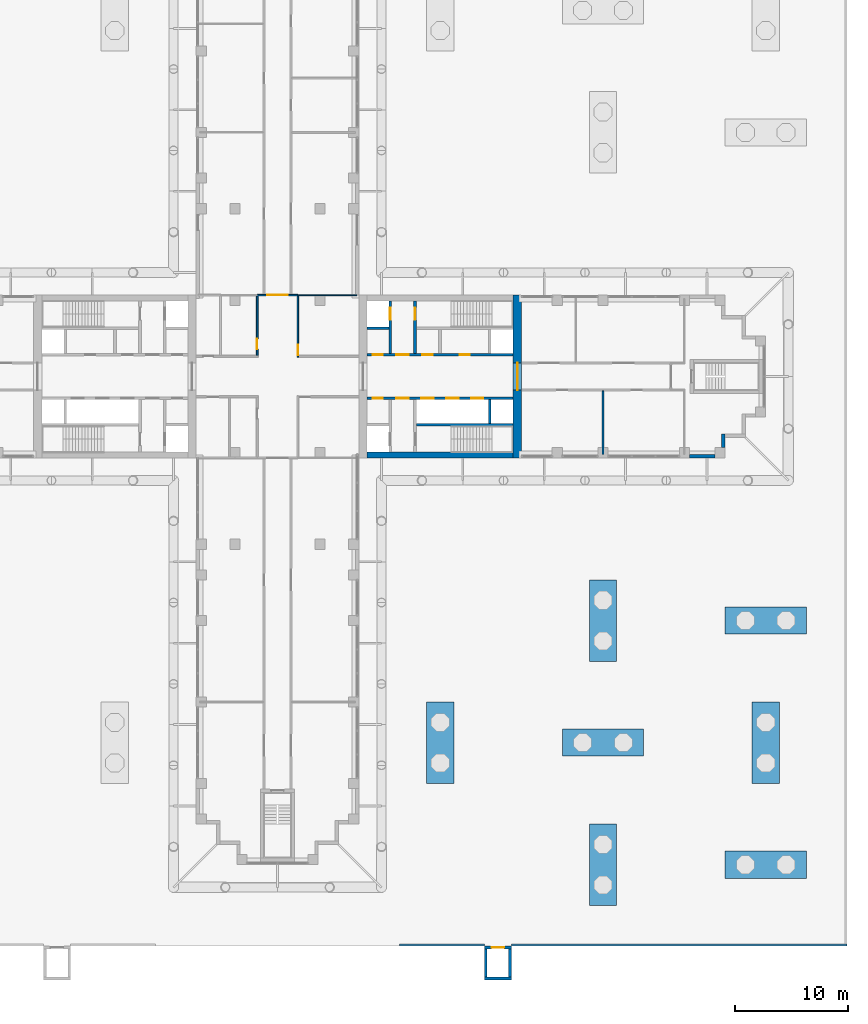
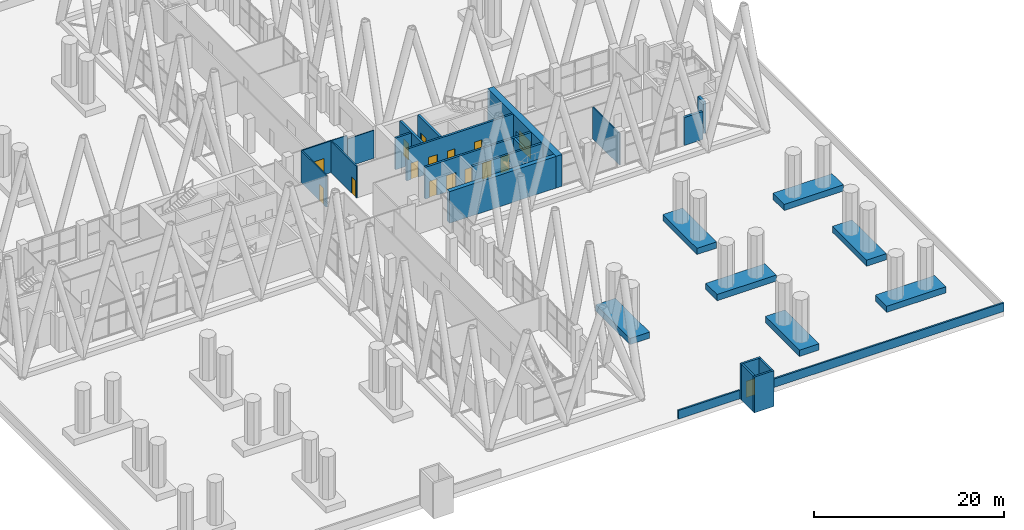
# One storey, part 22 of 31: 30 walls, 16 doors, 16 openings.
"""IFC4 building model written with IfcOpenShell, lengths in metres."""

from ifc_helpers import new_model, si_unit, direction, frame, frame_2d, origin, place, context, subcontext, project, spatial, rectangle, extrude, material, layer, layer_set, type_object, element, fill, save


model = new_model("IFC4")

# Units and contexts
model_context = context("Model", 3, precision=1e-05, world=origin(), true_north=direction((0.0, 1.0)))
body_context = subcontext(model_context, "Body", "Model", "MODEL_VIEW")
ifc_project = project(units=[si_unit("LENGTHUNIT", "METRE"), si_unit("AREAUNIT", "SQUARE_METRE"), si_unit("VOLUMEUNIT", "CUBIC_METRE"), si_unit("PLANEANGLEUNIT", "RADIAN"), si_unit("MASSUNIT", "GRAM", prefix="KILO")], contexts=[model_context])

# Site, building, storey
site_placement = place(None, origin())
site = spatial("IfcSite", under=ifc_project, at=site_placement, CompositionType="ELEMENT")
building_placement = place(site_placement, origin())
building = spatial("IfcBuilding", under=site, at=building_placement, Name="Fustian Cross Tower", CompositionType="ELEMENT")
storey_placement = place(building_placement, frame((0.0, 0.0, 7.199951171875)))
storey = spatial("IfcBuildingStorey", under=building, at=storey_placement, Name="L01", CompositionType="ELEMENT", Elevation=7.199951171875)

# Wall, opening, door
ifc_material_1 = material(Name="Plasterboard on steel stud", Category="steel")
ifc_layer_1 = layer(ifc_material_1, 0.14990234375)
ifc_layer_set_1 = layer_set([ifc_layer_1], Name="Plasterboard on steel stud")
wall_type_1 = type_object("IfcWallType", Name="COMPARTMENT WALL 150 EI 60", PredefinedType="PARTITIONING", material=ifc_layer_set_1)
wall_1_placement = place(storey_placement, frame((-1.800048828125, 1.875, 0.0), z_axis=(0.0, 0.0, 1.0), x_axis=(0.0, 1.0, 0.0)))
wall_1 = element("IfcWall", 1, at=wall_1_placement, inside=storey, type_object=wall_type_1, Name="Partition 22", PredefinedType="PARTITIONING", context=body_context, shape_type="SweptSolid", body=[
    extrude(rectangle(XDim=5.25, YDim=0.14990234375, at=frame_2d((2.625, 0.0))), origin(), (0.0, 0.0, 1.0), 4.074951171875),
])
opening_1_placement = place(wall_1_placement, frame((0.554931640625, 0.0, 0.0)))
opening_1 = element("IfcOpeningElement", 2, at=opening_1_placement, cuts=wall_1, Name="Opening D03002", PredefinedType="OPENING", context=body_context, shape_type="SweptSolid", body=[
    extrude(rectangle(XDim=0.89990234375, YDim=2.10009765625, at=frame_2d((0.449951171875, 1.050048828125))), frame((0.0, 0.0849609375, 0.0), z_axis=(0.0, -1.0, 0.0), x_axis=(1.0, 0.0, 0.0)), (0.0, 0.0, 1.0), 0.169921875),
])
ifc_material_2 = material(Name="Timber fire door set", Category="wood")
door_type_1 = type_object("IfcDoorType", Name="FIRE SWING DOOR 900 FD30S", OperationType="SINGLE_SWING_LEFT", PredefinedType="DOOR", material=ifc_material_2)
door_1_placement = place(opening_1_placement, frame((0.89990234375, 0.0, 0.0), z_axis=(0.0, 0.0, 1.0), x_axis=(-1.0, 0.0, 0.0)))
door_1 = element("IfcDoor", 3, at=door_1_placement, inside=storey, type_object=door_type_1, Name="Door D03002", OperationType="SINGLE_SWING_LEFT", OverallHeight=2.10009765625, OverallWidth=0.89990234375, PredefinedType="DOOR", context=body_context, shape_type="SweptSolid", body=[
    extrude(rectangle(XDim=0.89990234375, YDim=2.10009765625, at=frame_2d((0.449951171875, 1.050048828125))), frame((0.0, 0.02490234375, 0.0), z_axis=(0.0, -1.0, 0.0), x_axis=(1.0, 0.0, 0.0)), (0.0, 0.0, 1.0), 0.050048828125),
])
fill(opening_1, door_1)

wall_2_placement = place(storey_placement, frame((-1.800048828125, 7.199951171875, 0.0), z_axis=(0.0, 0.0, 1.0), x_axis=(1.0, 0.0, 0.0)))
wall_2 = element("IfcWall", 4, at=wall_2_placement, inside=storey, type_object=wall_type_1, Name="Partition 23", PredefinedType="PARTITIONING", context=body_context, shape_type="SweptSolid", body=[
    extrude(rectangle(XDim=3.60009765625, YDim=0.14990234375, at=frame_2d((1.800048828125, 0.0))), origin(), (0.0, 0.0, 1.0), 4.074951171875),
])
opening_2_placement = place(wall_2_placement, frame((0.89990234375, 0.0, 0.0)))
opening_2 = element("IfcOpeningElement", 5, at=opening_2_placement, cuts=wall_2, Name="Opening D03007", PredefinedType="OPENING", context=body_context, shape_type="SweptSolid", body=[
    extrude(rectangle(XDim=1.800048828125, YDim=2.10009765625, at=frame_2d((0.89990234375, 1.050048828125))), frame((0.0, 0.0849609375, 0.0), z_axis=(0.0, -1.0, 0.0), x_axis=(1.0, 0.0, 0.0)), (0.0, 0.0, 1.0), 0.169921875),
])
ifc_material_3 = material(Name="Timber fire door set", Category="wood")
door_type_2 = type_object("IfcDoorType", Name="FIRE DOUBLE DOOR 1800 FD30S", OperationType="DOUBLE_DOOR_DOUBLE_SWING", PredefinedType="DOOR", material=ifc_material_3)
door_2_placement = place(opening_2_placement, frame((1.800048828125, 0.0, 0.0), z_axis=(0.0, 0.0, 1.0), x_axis=(-1.0, 0.0, 0.0)))
door_2 = element("IfcDoor", 6, at=door_2_placement, inside=storey, type_object=door_type_2, Name="Door D03007", OperationType="DOUBLE_DOOR_DOUBLE_SWING", OverallHeight=2.10009765625, OverallWidth=1.800048828125, PredefinedType="DOOR", context=body_context, shape_type="SweptSolid", body=[
    extrude(rectangle(XDim=1.800048828125, YDim=2.10009765625, at=frame_2d((0.89990234375, 1.050048828125))), frame((0.0, 0.02490234375, 0.0), z_axis=(0.0, -1.0, 0.0), x_axis=(1.0, 0.0, 0.0)), (0.0, 0.0, 1.0), 0.050048828125),
])
fill(opening_2, door_2)

wall_3_placement = place(storey_placement, frame((1.800048828125, 1.72509765625, 0.0), z_axis=(0.0, 0.0, 1.0), x_axis=(0.0, 1.0, 0.0)))
wall_3 = element("IfcWall", 7, at=wall_3_placement, inside=storey, type_object=wall_type_1, Name="Partition 34", PredefinedType="PARTITIONING", context=body_context, shape_type="SweptSolid", body=[
    extrude(rectangle(XDim=5.39990234375, YDim=0.14990234375, at=frame_2d((2.699951171875, 0.0))), origin(), (0.0, 0.0, 1.0), 4.074951171875),
])
opening_3_placement = place(wall_3_placement, frame((0.175048828125, 0.0, 0.0)))
opening_3 = element("IfcOpeningElement", 8, at=opening_3_placement, cuts=wall_3, Name="Opening D03001", PredefinedType="OPENING", context=body_context, shape_type="SweptSolid", body=[
    extrude(rectangle(XDim=0.89990234375, YDim=2.10009765625, at=frame_2d((0.449951171875, 1.050048828125))), frame((0.0, 0.0849609375, 0.0), z_axis=(0.0, -1.0, 0.0), x_axis=(1.0, 0.0, 0.0)), (0.0, 0.0, 1.0), 0.169921875),
])
door_3_placement = place(opening_3_placement, origin())
door_3 = element("IfcDoor", 9, at=door_3_placement, inside=storey, type_object=door_type_1, Name="Door D03001", OperationType="SINGLE_SWING_RIGHT", OverallHeight=2.10009765625, OverallWidth=0.89990234375, PredefinedType="DOOR", context=body_context, shape_type="SweptSolid", body=[
    extrude(rectangle(XDim=0.89990234375, YDim=2.10009765625, at=frame_2d((0.449951171875, 1.050048828125))), frame((0.0, 0.02490234375, 0.0), z_axis=(0.0, -1.0, 0.0), x_axis=(1.0, 0.0, 0.0)), (0.0, 0.0, 1.0), 0.050048828125),
])
fill(opening_3, door_3)

# Wall
wall_4_placement = place(storey_placement, frame((28.800048828125, -6.89990234375, 0.0), z_axis=(0.0, 0.0, 1.0), x_axis=(0.0, 1.0, 0.0)))
element("IfcWall", 10, at=wall_4_placement, inside=storey, type_object=wall_type_1, Name="Partition 40", PredefinedType="PARTITIONING", context=body_context, shape_type="SweptSolid", body=[
    extrude(rectangle(XDim=5.625, YDim=0.14990234375, at=frame_2d((2.8125, 0.0))), origin(), (0.0, 0.0, 1.0), 4.074951171875),
])

# Wall, opening, door
ifc_material_4 = material(Name="Concrete C80/95", Category="concrete")
ifc_layer_2 = layer(ifc_material_4, 0.75)
ifc_layer_set_2 = layer_set([ifc_layer_2], Name="Concrete C80/95")
wall_type_2 = type_object("IfcWallType", Name="CORE END WALL 750 C80/95", PredefinedType="SHEAR", material=ifc_layer_set_2)
wall_5_placement = place(storey_placement, frame((21.22509765625, -7.199951171875, 0.0), z_axis=(0.0, 0.0, 1.0), x_axis=(0.0, 1.0, 0.0)))
wall_5 = element("IfcWall", 11, at=wall_5_placement, inside=storey, type_object=wall_type_2, Name="Core end wall", PredefinedType="SHEAR", context=body_context, shape_type="SweptSolid", body=[
    extrude(rectangle(XDim=14.39990234375, YDim=0.75, at=frame_2d((7.199951171875, 0.0))), origin(), (0.0, 0.0, 1.0), 4.074951171875),
])
opening_4_placement = place(wall_5_placement, frame((6.0, 0.0, 0.0)))
opening_4 = element("IfcOpeningElement", 12, at=opening_4_placement, cuts=wall_5, Name="Opening CD-03-13", PredefinedType="OPENING", context=body_context, shape_type="SweptSolid", body=[
    extrude(rectangle(XDim=2.39990234375, YDim=2.199951171875, at=frame_2d((1.199951171875, 1.10009765625))), frame((0.0, 0.385009765625, 0.0), z_axis=(0.0, -1.0, 0.0), x_axis=(1.0, 0.0, 0.0)), (0.0, 0.0, 1.0), 0.77001953125),
])
ifc_material_5 = material(Name="Steel", Category="steel")
door_type_3 = type_object("IfcDoorType", Name="FIRE DOOR FD30S DOUBLE 2400X2200", OperationType="DOUBLE_DOOR_DOUBLE_SWING", PredefinedType="DOOR", material=ifc_material_5)
door_4_placement = place(opening_4_placement, origin())
door_4 = element("IfcDoor", 13, at=door_4_placement, inside=storey, type_object=door_type_3, Name="Core door CD-03-13", OperationType="DOUBLE_DOOR_DOUBLE_SWING", OverallHeight=2.199951171875, OverallWidth=2.39990234375, PredefinedType="DOOR", context=body_context, shape_type="SweptSolid", body=[
    extrude(rectangle(XDim=2.39990234375, YDim=2.199951171875, at=frame_2d((1.199951171875, 1.10009765625))), frame((0.0, 0.02490234375, 0.0), z_axis=(0.0, -1.0, 0.0), x_axis=(1.0, 0.0, 0.0)), (0.0, 0.0, 1.0), 0.050048828125),
])
fill(opening_4, door_4)

# Wall
ifc_material_6 = material(Name="Concrete C80/95", Category="concrete")
ifc_layer_3 = layer(ifc_material_6, 0.5)
ifc_layer_set_3 = layer_set([ifc_layer_3], Name="Concrete C80/95")
wall_type_3 = type_object("IfcWallType", Name="CORE FACADE WALL 500 C80/95", PredefinedType="SHEAR", material=ifc_layer_set_3)
wall_6_placement = place(storey_placement, frame((7.89990234375, -6.949951171875, 0.0), z_axis=(0.0, 0.0, 1.0), x_axis=(1.0, 0.0, 0.0)))
element("IfcWall", 14, at=wall_6_placement, inside=storey, type_object=wall_type_3, Name="Core facade wall", PredefinedType="SHEAR", context=body_context, shape_type="SweptSolid", body=[
    extrude(rectangle(XDim=12.9501953125, YDim=0.5, at=frame_2d((6.47509765625, 0.0))), origin(), (0.0, 0.0, 1.0), 4.074951171875),
])

# Wall, openings, doors
ifc_material_7 = material(Name="Concrete C50/60", Category="concrete")
ifc_layer_4 = layer(ifc_material_7, 0.25)
ifc_layer_set_4 = layer_set([ifc_layer_4], Name="Concrete C50/60")
wall_type_4 = type_object("IfcWallType", Name="CORE LOBBY WALL 250 C50/60", PredefinedType="SHEAR", material=ifc_layer_set_4)
wall_7_placement = place(storey_placement, frame((7.89990234375, 1.925048828125, 0.0), z_axis=(0.0, 0.0, 1.0), x_axis=(1.0, 0.0, 0.0)))
wall_7 = element("IfcWall", 15, at=wall_7_placement, inside=storey, type_object=wall_type_4, Name="Core lobby wall", PredefinedType="SHEAR", context=body_context, shape_type="SweptSolid", body=[
    extrude(rectangle(XDim=12.9501953125, YDim=0.25, at=frame_2d((6.47509765625, 0.0))), origin(), (0.0, 0.0, 1.0), 4.074951171875),
])
opening_5_placement = place(wall_7_placement, frame((0.52490234375, 0.0, 0.0)))
opening_5 = element("IfcOpeningElement", 16, at=opening_5_placement, cuts=wall_7, Name="Opening CD-03-08", PredefinedType="OPENING", context=body_context, shape_type="SweptSolid", body=[
    extrude(rectangle(XDim=0.89990234375, YDim=2.10009765625, at=frame_2d((0.449951171875, 1.050048828125))), frame((0.0, 0.135009765625, 0.0), z_axis=(0.0, -1.0, 0.0), x_axis=(1.0, 0.0, 0.0)), (0.0, 0.0, 1.0), 0.27001953125),
])
opening_6_placement = place(wall_7_placement, frame((2.625, 0.0, 0.0)))
opening_6 = element("IfcOpeningElement", 17, at=opening_6_placement, cuts=wall_7, Name="Opening CD-03-10", PredefinedType="OPENING", context=body_context, shape_type="SweptSolid", body=[
    extrude(rectangle(XDim=1.10009765625, YDim=2.10009765625, at=frame_2d((0.550048828125, 1.050048828125))), frame((0.0, 0.135009765625, 0.0), z_axis=(0.0, -1.0, 0.0), x_axis=(1.0, 0.0, 0.0)), (0.0, 0.0, 1.0), 0.27001953125),
])
opening_7_placement = place(wall_7_placement, frame((4.925048828125, 0.0, 0.0)))
opening_7 = element("IfcOpeningElement", 18, at=opening_7_placement, cuts=wall_7, Name="Opening CD-03-14", PredefinedType="OPENING", context=body_context, shape_type="SweptSolid", body=[
    extrude(rectangle(XDim=0.89990234375, YDim=2.10009765625, at=frame_2d((0.449951171875, 1.050048828125))), frame((0.0, 0.135009765625, 0.0), z_axis=(0.0, -1.0, 0.0), x_axis=(1.0, 0.0, 0.0)), (0.0, 0.0, 1.0), 0.27001953125),
])
opening_8_placement = place(wall_7_placement, frame((8.22509765625, 0.0, 0.0)))
opening_8 = element("IfcOpeningElement", 19, at=opening_8_placement, cuts=wall_7, Name="Opening CD-03-15", PredefinedType="OPENING", context=body_context, shape_type="SweptSolid", body=[
    extrude(rectangle(XDim=0.89990234375, YDim=2.10009765625, at=frame_2d((0.449951171875, 1.050048828125))), frame((0.0, 0.135009765625, 0.0), z_axis=(0.0, -1.0, 0.0), x_axis=(1.0, 0.0, 0.0)), (0.0, 0.0, 1.0), 0.27001953125),
])
ifc_material_8 = material(Name="Steel", Category="steel")
door_type_4 = type_object("IfcDoorType", Name="FIRE DOOR FD30S 900X2100", OperationType="SINGLE_SWING_LEFT", PredefinedType="DOOR", material=ifc_material_8)
door_5_placement = place(opening_7_placement, origin())
door_5 = element("IfcDoor", 20, at=door_5_placement, inside=storey, type_object=door_type_4, Name="Core door CD-03-14", OperationType="SINGLE_SWING_LEFT", OverallHeight=2.10009765625, OverallWidth=0.89990234375, PredefinedType="DOOR", context=body_context, shape_type="SweptSolid", body=[
    extrude(rectangle(XDim=0.89990234375, YDim=2.10009765625, at=frame_2d((0.449951171875, 1.050048828125))), frame((0.0, 0.02490234375, 0.0), z_axis=(0.0, -1.0, 0.0), x_axis=(1.0, 0.0, 0.0)), (0.0, 0.0, 1.0), 0.050048828125),
])
fill(opening_7, door_5)
door_6_placement = place(opening_8_placement, origin())
door_6 = element("IfcDoor", 21, at=door_6_placement, inside=storey, type_object=door_type_4, Name="Core door CD-03-15", OperationType="SINGLE_SWING_RIGHT", OverallHeight=2.10009765625, OverallWidth=0.89990234375, PredefinedType="DOOR", context=body_context, shape_type="SweptSolid", body=[
    extrude(rectangle(XDim=0.89990234375, YDim=2.10009765625, at=frame_2d((0.449951171875, 1.050048828125))), frame((0.0, 0.02490234375, 0.0), z_axis=(0.0, -1.0, 0.0), x_axis=(1.0, 0.0, 0.0)), (0.0, 0.0, 1.0), 0.050048828125),
])
fill(opening_8, door_6)
ifc_material_9 = material(Name="Steel", Category="steel")
door_type_5 = type_object("IfcDoorType", Name="FIRE DOOR FD60S 1100X2100", OperationType="SINGLE_SWING_LEFT", PredefinedType="DOOR", material=ifc_material_9)
door_7_placement = place(opening_6_placement, frame((1.10009765625, 0.0, 0.0), z_axis=(0.0, 0.0, 1.0), x_axis=(-1.0, 0.0, 0.0)))
door_7 = element("IfcDoor", 22, at=door_7_placement, inside=storey, type_object=door_type_5, Name="Core door CD-03-10", OperationType="SINGLE_SWING_RIGHT", OverallHeight=2.10009765625, OverallWidth=1.10009765625, PredefinedType="DOOR", context=body_context, shape_type="SweptSolid", body=[
    extrude(rectangle(XDim=1.10009765625, YDim=2.10009765625, at=frame_2d((0.550048828125, 1.050048828125))), frame((0.0, 0.02490234375, 0.0), z_axis=(0.0, -1.0, 0.0), x_axis=(1.0, 0.0, 0.0)), (0.0, 0.0, 1.0), 0.050048828125),
])
fill(opening_6, door_7)
ifc_material_10 = material(Name="Steel", Category="steel")
door_type_6 = type_object("IfcDoorType", Name="FIRE DOOR FD60S 900X2100", OperationType="SINGLE_SWING_LEFT", PredefinedType="DOOR", material=ifc_material_10)
door_8_placement = place(opening_5_placement, origin())
door_8 = element("IfcDoor", 23, at=door_8_placement, inside=storey, type_object=door_type_6, Name="Core door CD-03-08", OperationType="SINGLE_SWING_LEFT", OverallHeight=2.10009765625, OverallWidth=0.89990234375, PredefinedType="DOOR", context=body_context, shape_type="SweptSolid", body=[
    extrude(rectangle(XDim=0.89990234375, YDim=2.10009765625, at=frame_2d((0.449951171875, 1.050048828125))), frame((0.0, 0.02490234375, 0.0), z_axis=(0.0, -1.0, 0.0), x_axis=(1.0, 0.0, 0.0)), (0.0, 0.0, 1.0), 0.050048828125),
])
fill(opening_5, door_8)

wall_8_placement = place(storey_placement, frame((7.89990234375, -1.925048828125, 0.0), z_axis=(0.0, 0.0, 1.0), x_axis=(1.0, 0.0, 0.0)))
wall_8 = element("IfcWall", 24, at=wall_8_placement, inside=storey, type_object=wall_type_4, Name="Core lobby wall", PredefinedType="SHEAR", context=body_context, shape_type="SweptSolid", body=[
    extrude(rectangle(XDim=12.9501953125, YDim=0.25, at=frame_2d((6.47509765625, 0.0))), origin(), (0.0, 0.0, 1.0), 4.074951171875),
])
opening_9_placement = place(wall_8_placement, frame((4.824951171875, 0.0, 0.0)))
opening_9 = element("IfcOpeningElement", 25, at=opening_9_placement, cuts=wall_8, Name="Opening LD", PredefinedType="OPENING", context=body_context, shape_type="SweptSolid", body=[
    extrude(rectangle(XDim=1.10009765625, YDim=2.10009765625, at=frame_2d((0.550048828125, 1.050048828125))), frame((0.0, 0.135009765625, 0.0), z_axis=(0.0, -1.0, 0.0), x_axis=(1.0, 0.0, 0.0)), (0.0, 0.0, 1.0), 0.27001953125),
])
opening_10_placement = place(wall_8_placement, frame((7.02490234375, 0.0, 0.0)))
opening_10 = element("IfcOpeningElement", 26, at=opening_10_placement, cuts=wall_8, Name="Opening LD", PredefinedType="OPENING", context=body_context, shape_type="SweptSolid", body=[
    extrude(rectangle(XDim=1.10009765625, YDim=2.10009765625, at=frame_2d((0.550048828125, 1.050048828125))), frame((0.0, 0.135009765625, 0.0), z_axis=(0.0, -1.0, 0.0), x_axis=(1.0, 0.0, 0.0)), (0.0, 0.0, 1.0), 0.27001953125),
])
opening_11_placement = place(wall_8_placement, frame((9.22509765625, 0.0, 0.0)))
opening_11 = element("IfcOpeningElement", 27, at=opening_11_placement, cuts=wall_8, Name="Opening LD", PredefinedType="OPENING", context=body_context, shape_type="SweptSolid", body=[
    extrude(rectangle(XDim=1.10009765625, YDim=2.10009765625, at=frame_2d((0.550048828125, 1.050048828125))), frame((0.0, 0.135009765625, 0.0), z_axis=(0.0, -1.0, 0.0), x_axis=(1.0, 0.0, 0.0)), (0.0, 0.0, 1.0), 0.27001953125),
])
opening_12_placement = place(wall_8_placement, frame((0.52490234375, 0.0, 0.0)))
opening_12 = element("IfcOpeningElement", 28, at=opening_12_placement, cuts=wall_8, Name="Opening CD-03-09", PredefinedType="OPENING", context=body_context, shape_type="SweptSolid", body=[
    extrude(rectangle(XDim=0.89990234375, YDim=2.10009765625, at=frame_2d((0.449951171875, 1.050048828125))), frame((0.0, 0.135009765625, 0.0), z_axis=(0.0, -1.0, 0.0), x_axis=(1.0, 0.0, 0.0)), (0.0, 0.0, 1.0), 0.27001953125),
])
opening_13_placement = place(wall_8_placement, frame((2.625, 0.0, 0.0)))
opening_13 = element("IfcOpeningElement", 29, at=opening_13_placement, cuts=wall_8, Name="Opening CD-03-11", PredefinedType="OPENING", context=body_context, shape_type="SweptSolid", body=[
    extrude(rectangle(XDim=1.10009765625, YDim=2.10009765625, at=frame_2d((0.550048828125, 1.050048828125))), frame((0.0, 0.135009765625, 0.0), z_axis=(0.0, -1.0, 0.0), x_axis=(1.0, 0.0, 0.0)), (0.0, 0.0, 1.0), 0.27001953125),
])
ifc_material_11 = material(Name="Steel", Category="steel")
door_type_7 = type_object("IfcDoorType", Name="FIRE DOOR FD30S 1100X2100", OperationType="SINGLE_SWING_LEFT", PredefinedType="DOOR", material=ifc_material_11)
door_9_placement = place(opening_13_placement, frame((1.10009765625, 0.0, 0.0), z_axis=(0.0, 0.0, 1.0), x_axis=(-1.0, 0.0, 0.0)))
door_9 = element("IfcDoor", 30, at=door_9_placement, inside=storey, type_object=door_type_7, Name="Core door CD-03-11", OperationType="SINGLE_SWING_RIGHT", OverallHeight=2.10009765625, OverallWidth=1.10009765625, PredefinedType="DOOR", context=body_context, shape_type="SweptSolid", body=[
    extrude(rectangle(XDim=1.10009765625, YDim=2.10009765625, at=frame_2d((0.550048828125, 1.050048828125))), frame((0.0, 0.02490234375, 0.0), z_axis=(0.0, -1.0, 0.0), x_axis=(1.0, 0.0, 0.0)), (0.0, 0.0, 1.0), 0.050048828125),
])
fill(opening_13, door_9)
door_10_placement = place(opening_12_placement, frame((0.89990234375, 0.0, 0.0), z_axis=(0.0, 0.0, 1.0), x_axis=(-1.0, 0.0, 0.0)))
door_10 = element("IfcDoor", 31, at=door_10_placement, inside=storey, type_object=door_type_4, Name="Core door CD-03-09", OperationType="SINGLE_SWING_RIGHT", OverallHeight=2.10009765625, OverallWidth=0.89990234375, PredefinedType="DOOR", context=body_context, shape_type="SweptSolid", body=[
    extrude(rectangle(XDim=0.89990234375, YDim=2.10009765625, at=frame_2d((0.449951171875, 1.050048828125))), frame((0.0, 0.02490234375, 0.0), z_axis=(0.0, -1.0, 0.0), x_axis=(1.0, 0.0, 0.0)), (0.0, 0.0, 1.0), 0.050048828125),
])
fill(opening_12, door_10)
ifc_material_12 = material(Name="Stainless steel", Category="steel")
door_type_8 = type_object("IfcDoorType", Name="LIFT LANDING DOOR 1100X2100", OperationType="SLIDING_TO_LEFT", PredefinedType="DOOR", material=ifc_material_12)
door_11_placement = place(opening_9_placement, origin())
door_11 = element("IfcDoor", 32, at=door_11_placement, inside=storey, type_object=door_type_8, Name="Landing door LR1", OperationType="SLIDING_TO_LEFT", OverallHeight=2.10009765625, OverallWidth=1.10009765625, PredefinedType="DOOR", context=body_context, shape_type="SweptSolid", body=[
    extrude(rectangle(XDim=1.10009765625, YDim=2.10009765625, at=frame_2d((0.550048828125, 1.050048828125))), frame((0.0, 0.02490234375, 0.0), z_axis=(0.0, -1.0, 0.0), x_axis=(1.0, 0.0, 0.0)), (0.0, 0.0, 1.0), 0.050048828125),
])
fill(opening_9, door_11)
door_12_placement = place(opening_10_placement, origin())
door_12 = element("IfcDoor", 33, at=door_12_placement, inside=storey, type_object=door_type_8, Name="Landing door LR2", OperationType="SLIDING_TO_LEFT", OverallHeight=2.10009765625, OverallWidth=1.10009765625, PredefinedType="DOOR", context=body_context, shape_type="SweptSolid", body=[
    extrude(rectangle(XDim=1.10009765625, YDim=2.10009765625, at=frame_2d((0.550048828125, 1.050048828125))), frame((0.0, 0.02490234375, 0.0), z_axis=(0.0, -1.0, 0.0), x_axis=(1.0, 0.0, 0.0)), (0.0, 0.0, 1.0), 0.050048828125),
])
fill(opening_10, door_12)
door_13_placement = place(opening_11_placement, origin())
door_13 = element("IfcDoor", 34, at=door_13_placement, inside=storey, type_object=door_type_8, Name="Landing door LR3", OperationType="SLIDING_TO_LEFT", OverallHeight=2.10009765625, OverallWidth=1.10009765625, PredefinedType="DOOR", context=body_context, shape_type="SweptSolid", body=[
    extrude(rectangle(XDim=1.10009765625, YDim=2.10009765625, at=frame_2d((0.550048828125, 1.050048828125))), frame((0.0, 0.02490234375, 0.0), z_axis=(0.0, -1.0, 0.0), x_axis=(1.0, 0.0, 0.0)), (0.0, 0.0, 1.0), 0.050048828125),
])
fill(opening_11, door_13)

# Wall
ifc_material_13 = material(Name="Concrete C50/60", Category="concrete")
ifc_layer_5 = layer(ifc_material_13, 0.25)
ifc_layer_set_5 = layer_set([ifc_layer_5], Name="Concrete C50/60")
wall_type_5 = type_object("IfcWallType", Name="CORE SHAFT WALL 250 C50/60", PredefinedType="SHEAR", material=ifc_layer_set_5)
wall_9_placement = place(storey_placement, frame((7.89990234375, 4.27490234375, 0.0), z_axis=(0.0, 0.0, 1.0), x_axis=(1.0, 0.0, 0.0)))
element("IfcWall", 35, at=wall_9_placement, inside=storey, type_object=wall_type_5, Name="Core shaft wall", PredefinedType="SHEAR", context=body_context, shape_type="SweptSolid", body=[
    extrude(rectangle(XDim=1.9501953125, YDim=0.25, at=frame_2d((0.97509765625, 0.0))), origin(), (0.0, 0.0, 1.0), 4.074951171875),
])

# Wall, opening, door
wall_10_placement = place(storey_placement, frame((9.97509765625, 2.050048828125, 0.0), z_axis=(0.0, 0.0, 1.0), x_axis=(0.0, 1.0, 0.0)))
wall_10 = element("IfcWall", 36, at=wall_10_placement, inside=storey, type_object=wall_type_5, Name="Core shaft wall", PredefinedType="SHEAR", context=body_context, shape_type="SweptSolid", body=[
    extrude(rectangle(XDim=4.64990234375, YDim=0.25, at=frame_2d((2.324951171875, 0.0))), origin(), (0.0, 0.0, 1.0), 4.074951171875),
])
opening_14_placement = place(wall_10_placement, frame((2.949951171875, 0.0, 0.0)))
opening_14 = element("IfcOpeningElement", 37, at=opening_14_placement, cuts=wall_10, Name="Opening LD", PredefinedType="OPENING", context=body_context, shape_type="SweptSolid", body=[
    extrude(rectangle(XDim=1.10009765625, YDim=2.10009765625, at=frame_2d((0.550048828125, 1.050048828125))), frame((0.0, 0.135009765625, 0.0), z_axis=(0.0, -1.0, 0.0), x_axis=(1.0, 0.0, 0.0)), (0.0, 0.0, 1.0), 0.27001953125),
])
door_14_placement = place(opening_14_placement, origin())
door_14 = element("IfcDoor", 38, at=door_14_placement, inside=storey, type_object=door_type_8, Name="Landing door FL1", OperationType="SLIDING_TO_LEFT", OverallHeight=2.10009765625, OverallWidth=1.10009765625, PredefinedType="DOOR", context=body_context, shape_type="SweptSolid", body=[
    extrude(rectangle(XDim=1.10009765625, YDim=2.10009765625, at=frame_2d((0.550048828125, 1.050048828125))), frame((0.0, 0.02490234375, 0.0), z_axis=(0.0, -1.0, 0.0), x_axis=(1.0, 0.0, 0.0)), (0.0, 0.0, 1.0), 0.050048828125),
])
fill(opening_14, door_14)

wall_11_placement = place(storey_placement, frame((12.175048828125, 2.050048828125, 0.0), z_axis=(0.0, 0.0, 1.0), x_axis=(0.0, 1.0, 0.0)))
wall_11 = element("IfcWall", 39, at=wall_11_placement, inside=storey, type_object=wall_type_5, Name="Core shaft wall", PredefinedType="SHEAR", context=body_context, shape_type="SweptSolid", body=[
    extrude(rectangle(XDim=4.64990234375, YDim=0.25, at=frame_2d((2.324951171875, 0.0))), origin(), (0.0, 0.0, 1.0), 4.074951171875),
])
opening_15_placement = place(wall_11_placement, frame((2.949951171875, 0.0, 0.0)))
opening_15 = element("IfcOpeningElement", 40, at=opening_15_placement, cuts=wall_11, Name="Opening CD-03-06", PredefinedType="OPENING", context=body_context, shape_type="SweptSolid", body=[
    extrude(rectangle(XDim=1.10009765625, YDim=2.10009765625, at=frame_2d((0.550048828125, 1.050048828125))), frame((0.0, 0.135009765625, 0.0), z_axis=(0.0, -1.0, 0.0), x_axis=(1.0, 0.0, 0.0)), (0.0, 0.0, 1.0), 0.27001953125),
])
door_15_placement = place(opening_15_placement, frame((1.10009765625, 0.0, 0.0), z_axis=(0.0, 0.0, 1.0), x_axis=(-1.0, 0.0, 0.0)))
door_15 = element("IfcDoor", 41, at=door_15_placement, inside=storey, type_object=door_type_5, Name="Core door CD-03-06", OperationType="SINGLE_SWING_RIGHT", OverallHeight=2.10009765625, OverallWidth=1.10009765625, PredefinedType="DOOR", context=body_context, shape_type="SweptSolid", body=[
    extrude(rectangle(XDim=1.10009765625, YDim=2.10009765625, at=frame_2d((0.550048828125, 1.050048828125))), frame((0.0, 0.02490234375, 0.0), z_axis=(0.0, -1.0, 0.0), x_axis=(1.0, 0.0, 0.0)), (0.0, 0.0, 1.0), 0.050048828125),
])
fill(opening_15, door_15)

# Walls
wall_12_placement = place(storey_placement, frame((12.300048828125, -4.27490234375, 0.0), z_axis=(0.0, 0.0, 1.0), x_axis=(1.0, 0.0, 0.0)))
element("IfcWall", 42, at=wall_12_placement, inside=storey, type_object=wall_type_5, Name="Core shaft wall", PredefinedType="SHEAR", context=body_context, shape_type="SweptSolid", body=[
    extrude(rectangle(XDim=8.550048828125, YDim=0.25, at=frame_2d((4.27490234375, 0.0))), origin(), (0.0, 0.0, 1.0), 4.074951171875),
])
ifc_material_14 = material(Name="Dark rainscreen cladding on blockwork", Category="masonry")
ifc_layer_6 = layer(ifc_material_14, 0.300048828125)
ifc_layer_set_6 = layer_set([ifc_layer_6], Name="Dark rainscreen cladding on blockwork")
wall_type_6 = type_object("IfcWallType", Name="EXTERNAL WALL 300 CLADDING", PredefinedType="SOLIDWALL", material=ifc_layer_set_6)
wall_13_placement = place(storey_placement, frame((36.449951171875, -7.050048828125, 0.0), z_axis=(0.0, 0.0, 1.0), x_axis=(1.0, 0.0, 0.0)))
element("IfcWall", 43, at=wall_13_placement, inside=storey, type_object=wall_type_6, Name="Garden-level wall E013", PredefinedType="SOLIDWALL", context=body_context, shape_type="SweptSolid", body=[
    extrude(rectangle(XDim=2.25, YDim=0.300048828125, at=frame_2d((1.125, 0.0))), origin(), (0.0, 0.0, 1.0), 3.60009765625),
])
wall_14_placement = place(storey_placement, frame((39.449951171875, -6.300048828125, 0.0), z_axis=(0.0, 0.0, 1.0), x_axis=(0.0, 1.0, 0.0)))
element("IfcWall", 44, at=wall_14_placement, inside=storey, type_object=wall_type_6, Name="Garden-level wall E020", PredefinedType="SOLIDWALL", context=body_context, shape_type="SweptSolid", body=[
    extrude(rectangle(XDim=1.199951171875, YDim=0.300048828125, at=frame_2d((0.60009765625, 0.0))), origin(), (0.0, 0.0, 1.0), 4.074951171875),
])
ifc_material_15 = material(Name="Concrete C40/50", Category="concrete")
ifc_layer_7 = layer(ifc_material_15, 0.25)
ifc_layer_set_7 = layer_set([ifc_layer_7], Name="Concrete C40/50")
wall_type_7 = type_object("IfcWallType", Name="LIFT SHAFT WALL 250", PredefinedType="SOLIDWALL", material=ifc_layer_set_7)
wall_15_placement = place(storey_placement, frame((18.300048828125, -53.27490234375, 0.0), z_axis=(0.0, 0.0, 1.0), x_axis=(1.0, 0.0, 0.0)))
element("IfcWall", 45, at=wall_15_placement, inside=storey, type_object=wall_type_7, Name="Lift shaft wall PL2 L01 S", PredefinedType="SOLIDWALL", context=body_context, shape_type="SweptSolid", body=[
    extrude(rectangle(XDim=2.39990234375, YDim=0.25, at=frame_2d((1.199951171875, 0.0))), origin(), (0.0, 0.0, 1.0), 4.60009765625),
])

# Wall, opening, door
wall_16_placement = place(storey_placement, frame((18.300048828125, -50.52490234375, 0.0), z_axis=(0.0, 0.0, 1.0), x_axis=(1.0, 0.0, 0.0)))
wall_16 = element("IfcWall", 46, at=wall_16_placement, inside=storey, type_object=wall_type_7, Name="Lift shaft wall PL2 L01 N", PredefinedType="SOLIDWALL", context=body_context, shape_type="SweptSolid", body=[
    extrude(rectangle(XDim=2.39990234375, YDim=0.25, at=frame_2d((1.199951171875, 0.0))), origin(), (0.0, 0.0, 1.0), 4.60009765625),
])
opening_16_placement = place(wall_16_placement, frame((0.64990234375, 0.0, 0.0)))
opening_16 = element("IfcOpeningElement", 47, at=opening_16_placement, cuts=wall_16, Name="Opening LD", PredefinedType="OPENING", context=body_context, shape_type="SweptSolid", body=[
    extrude(rectangle(XDim=1.10009765625, YDim=2.10009765625, at=frame_2d((0.550048828125, 1.050048828125))), frame((0.0, 0.135009765625, 0.0), z_axis=(0.0, -1.0, 0.0), x_axis=(1.0, 0.0, 0.0)), (0.0, 0.0, 1.0), 0.27001953125),
])
door_16_placement = place(opening_16_placement, origin())
door_16 = element("IfcDoor", 48, at=door_16_placement, inside=storey, type_object=door_type_8, Name="Public lift car landing door PL2 L01", OperationType="SLIDING_TO_LEFT", OverallHeight=2.10009765625, OverallWidth=1.10009765625, PredefinedType="DOOR", context=body_context, shape_type="SweptSolid", body=[
    extrude(rectangle(XDim=1.10009765625, YDim=2.10009765625, at=frame_2d((0.550048828125, 1.050048828125))), frame((0.0, 0.02490234375, 0.0), z_axis=(0.0, -1.0, 0.0), x_axis=(1.0, 0.0, 0.0)), (0.0, 0.0, 1.0), 0.050048828125),
])
fill(opening_16, door_16)

# Walls
for number, where, z_axis, x_axis, name in (
    (49, (18.425048828125, -53.14990234375, 0.0), (0.0, 0.0, 1.0), (0.0, 1.0, 0.0), "Lift shaft wall PL2 L01 W"),
    (50, (20.574951171875, -53.14990234375, 0.0), (0.0, 0.0, 1.0), (0.0, 1.0, 0.0), "Lift shaft wall PL2 L01 E"),
):
    element("IfcWall", number, at=place(storey_placement, frame(where, z_axis=z_axis, x_axis=x_axis)), inside=storey, type_object=wall_type_7, Name=name, PredefinedType="SOLIDWALL", context=body_context, shape_type="SweptSolid", body=[
        extrude(rectangle(XDim=2.5, YDim=0.25, at=frame_2d((1.25, 0.0))), origin(), (0.0, 0.0, 1.0), 4.60009765625),
    ])
ifc_material_16 = material(Name="Dark rainscreen cladding on blockwork", Category="masonry")
ifc_layer_8 = layer(ifc_material_16, 0.199951171875)
ifc_layer_set_8 = layer_set([ifc_layer_8], Name="Dark rainscreen cladding on blockwork")
wall_type_8 = type_object("IfcWallType", Name="PARAPET 200", PredefinedType="PARAPET", material=ifc_layer_set_8)
wall_17_placement = place(storey_placement, frame((10.800048828125, -50.300048828125, 0.0), z_axis=(0.0, 0.0, 1.0), x_axis=(1.0, 0.0, 0.0)))
element("IfcWall", 51, at=wall_17_placement, inside=storey, type_object=wall_type_8, Name="Deck parapet S", PredefinedType="PARAPET", context=body_context, shape_type="SweptSolid", body=[
    extrude(rectangle(XDim=7.5, YDim=0.199951171875, at=frame_2d((3.75, 0.0))), origin(), (0.0, 0.0, 1.0), 1.10009765625),
])
wall_18_placement = place(storey_placement, frame((20.699951171875, -50.300048828125, 0.0), z_axis=(0.0, 0.0, 1.0), x_axis=(1.0, 0.0, 0.0)))
element("IfcWall", 52, at=wall_18_placement, inside=storey, type_object=wall_type_8, Name="Deck parapet S", PredefinedType="PARAPET", context=body_context, shape_type="SweptSolid", body=[
    extrude(rectangle(XDim=29.699951171875, YDim=0.199951171875, at=frame_2d((14.85009765625, 0.0))), origin(), (0.0, 0.0, 1.0), 1.10009765625),
])
ifc_material_17 = material(Name="Plasterboard on steel stud", Category="steel")
ifc_layer_9 = layer(ifc_material_17, 0.10009765625)
ifc_layer_set_9 = layer_set([ifc_layer_9], Name="Plasterboard on steel stud")
wall_type_9 = type_object("IfcWallType", Name="PARTITION 100 STUD", PredefinedType="PARTITIONING", material=ifc_layer_set_9)
wall_19_placement = place(storey_placement, frame((1.800048828125, 7.199951171875, 0.0), z_axis=(0.0, 0.0, 1.0), x_axis=(1.0, 0.0, 0.0)))
element("IfcWall", 53, at=wall_19_placement, inside=storey, type_object=wall_type_9, Name="Partition 36", PredefinedType="PARTITIONING", context=body_context, shape_type="SweptSolid", body=[
    extrude(rectangle(XDim=1.949951171875, YDim=0.10009765625, at=frame_2d((0.97509765625, 0.0))), origin(), (0.0, 0.0, 1.0), 4.074951171875),
])
wall_20_placement = place(storey_placement, frame((3.75, 7.199951171875, 0.0), z_axis=(0.0, 0.0, 1.0), x_axis=(1.0, 0.0, 0.0)))
element("IfcWall", 54, at=wall_20_placement, inside=storey, type_object=wall_type_9, Name="Partition 36", PredefinedType="PARTITIONING", context=body_context, shape_type="SweptSolid", body=[
    extrude(rectangle(XDim=3.27001953125, YDim=0.10009765625, at=frame_2d((1.635009765625, 0.0))), origin(), (0.0, 0.0, 1.0), 3.60009765625),
])
ifc_material_18 = material(Name="Concrete C40/50", Category="concrete")
ifc_layer_10 = layer(ifc_material_18, 2.39990234375)
ifc_layer_set_10 = layer_set([ifc_layer_10], Name="Concrete C40/50")
wall_type_10 = type_object("IfcWallType", Name="PLANTER KERB", PredefinedType="SOLIDWALL", material=ifc_layer_set_10)
for number, where, z_axis, x_axis, name in (
    (55, (14.39990234375, -36.0, 0.0), (0.0, 0.0, 1.0), (0.0, 1.0, 0.0), "PLANTER D15"),
    (56, (28.800048828125, -46.800048828125, 0.0), (0.0, 0.0, 1.0), (0.0, 1.0, 0.0), "PLANTER D17"),
    (57, (25.199951171875, -32.39990234375, 0.0), (0.0, 0.0, 1.0), (1.0, 0.0, 0.0), "PLANTER D18"),
    (58, (28.800048828125, -25.199951171875, 0.0), (0.0, 0.0, 1.0), (0.0, 1.0, 0.0), "PLANTER D19"),
    (59, (39.60009765625, -43.199951171875, 0.0), (0.0, 0.0, 1.0), (1.0, 0.0, 0.0), "PLANTER D23"),
    (60, (43.199951171875, -36.0, 0.0), (0.0, 0.0, 1.0), (0.0, 1.0, 0.0), "PLANTER D24"),
    (61, (39.60009765625, -21.60009765625, 0.0), (0.0, 0.0, 1.0), (1.0, 0.0, 0.0), "PLANTER D25"),
):
    element("IfcWall", number, at=place(storey_placement, frame(where, z_axis=z_axis, x_axis=x_axis)), inside=storey, type_object=wall_type_10, Name=name, PredefinedType="SOLIDWALL", context=body_context, shape_type="SweptSolid", body=[
        extrude(rectangle(XDim=7.199951171875, YDim=2.39990234375, at=frame_2d((3.60009765625, 0.0))), origin(), (0.0, 0.0, 1.0), 0.800048828125),
    ])
ifc_material_19 = material(Name="Concrete C40/50", Category="concrete")
ifc_layer_11 = layer(ifc_material_19, 0.25)
ifc_layer_set_11 = layer_set([ifc_layer_11], Name="Concrete C40/50")
wall_type_11 = type_object("IfcWallType", Name="SHAFT PARTITION WALL 250 C40/50", PredefinedType="PARTITIONING", material=ifc_layer_set_11)
wall_21_placement = place(storey_placement, frame((18.77490234375, -2.050048828125, 0.0), z_axis=(0.0, 0.0, 1.0), x_axis=(0.0, -1.0, 0.0)))
element("IfcWall", 62, at=wall_21_placement, inside=storey, type_object=wall_type_11, Name="Core shaft wall", PredefinedType="PARTITIONING", context=body_context, shape_type="SweptSolid", body=[
    extrude(rectangle(XDim=2.099853515625, YDim=0.25, at=frame_2d((1.0498046875, 0.0))), origin(), (0.0, 0.0, 1.0), 4.074951171875),
])

save(model, "model.ifc")
